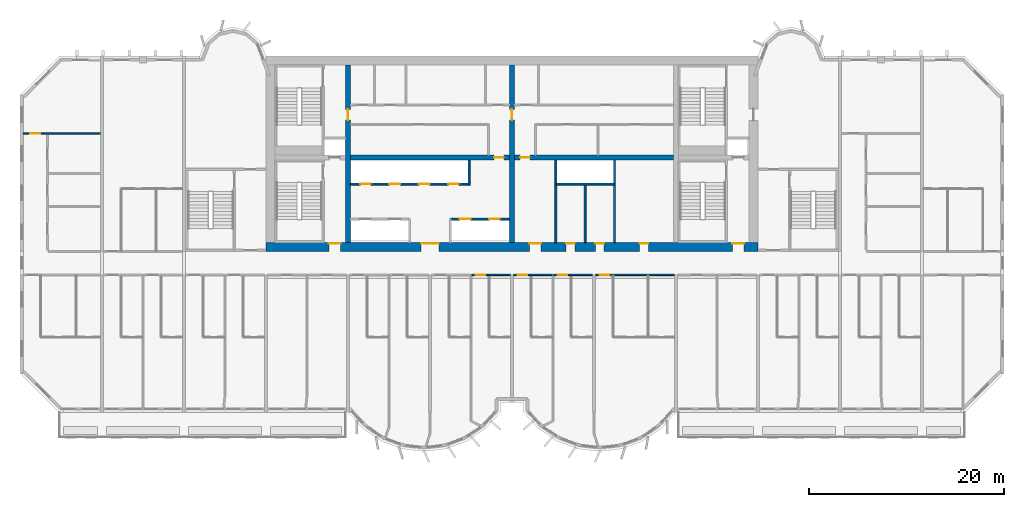
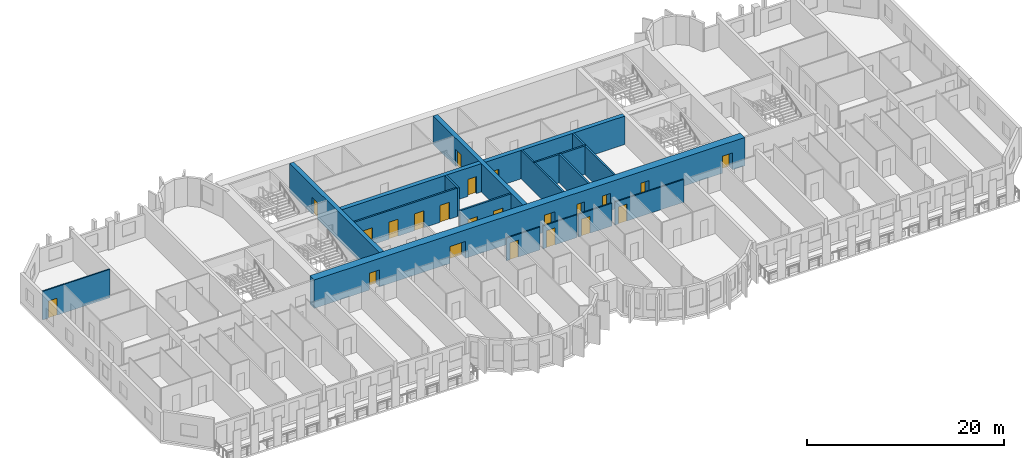
# One storey, part 6 of 14: 22 doors, 17 walls, 22 openings.
"""IFC4 building model written with IfcOpenShell, lengths in metres."""

from ifc_helpers import new_model, si_unit, direction, frame, frame_2d, origin, place, context, subcontext, project, spatial, rectangle, extrude, source, transform, mapped, material, layer, layer_set, type_object, element, fill, save


model = new_model("IFC4")

# Units and contexts
model_context = context("Model", 3, precision=1e-05, world=origin(), true_north=direction((0.0, 1.0)))
body_context = subcontext(model_context, "Body", "Model", "MODEL_VIEW")
ifc_project = project(units=[si_unit("LENGTHUNIT", "METRE"), si_unit("AREAUNIT", "SQUARE_METRE"), si_unit("VOLUMEUNIT", "CUBIC_METRE"), si_unit("PLANEANGLEUNIT", "RADIAN"), si_unit("MASSUNIT", "GRAM", prefix="KILO")], contexts=[model_context])

# Site, building, storey
site_placement = place(None, origin())
site = spatial("IfcSite", under=ifc_project, at=site_placement, CompositionType="ELEMENT")
building_placement = place(site_placement, origin())
building = spatial("IfcBuilding", under=site, at=building_placement, Name="Vanashikhar Sky Hotel", CompositionType="ELEMENT")
storey_placement = place(building_placement, frame((0.0, 0.0, 125.60009765625)))
storey = spatial("IfcBuildingStorey", under=building, at=storey_placement, Name="L30", CompositionType="ELEMENT", Elevation=125.60009765625)

# Wall, openings, doors
ifc_material_1 = material(Name="Concrete M70", Category="concrete")
ifc_layer_1 = layer(ifc_material_1, 0.89990234375)
ifc_layer_set_1 = layer_set([ifc_layer_1], Name="RC core shell wall 900 Concrete M70")
wall_type_1 = type_object("IfcWallType", Name="RC core shell wall 900 Concrete M70", PredefinedType="SHEAR", material=ifc_layer_set_1)
shared_shape_1 = source(origin(), body_context, "Body", "SweptSolid", [
    extrude(rectangle(XDim=50.400146484375, YDim=0.89990234375, at=frame_2d((25.2001953125, 0.0))), origin(), (0.0, 0.0, 1.0), 3.52001953125),
])
wall_1_placement = place(storey_placement, frame((25.199951171875, 22.449951171875, 0.0), z_axis=(0.0, 0.0, 1.0), x_axis=(1.0, 0.0, 0.0)))
wall_1 = element("IfcWall", 1, at=wall_1_placement, inside=storey, type_object=wall_type_1, Name="KW-L30-KS", PredefinedType="SHEAR", context=body_context, shape_type="MappedRepresentation", body=[
    mapped(shared_shape_1, transform((0.0, 0.0, 0.0), scale=1.0)),
])
shared_shape_2 = source(origin(), body_context, "Body", "SweptSolid", [
    extrude(rectangle(XDim=1.800048828125, YDim=2.10009765625, at=frame_2d((0.89990234375, 1.050048828125))), frame((0.0, 0.4599609375, 0.0), z_axis=(0.0, -1.0, 0.0), x_axis=(1.0, 0.0, 0.0)), (0.0, 0.0, 1.0), 0.919921875),
])
opening_1_placement = place(wall_1_placement, frame((15.89990234375, 0.0, 0.0)))
opening_1 = element("IfcOpeningElement", 2, at=opening_1_placement, cuts=wall_1, Name="Opening DC-3-A", PredefinedType="OPENING", context=body_context, shape_type="MappedRepresentation", body=[
    mapped(shared_shape_2, transform((0.0, 0.0, 0.0), scale=1.0)),
])
shared_shape_3 = source(origin(), body_context, "Body", "SweptSolid", [
    extrude(rectangle(XDim=1.199951171875, YDim=2.10009765625, at=frame_2d((0.60009765625, 1.050048828125))), frame((0.0, 0.4599609375, 0.0), z_axis=(0.0, -1.0, 0.0), x_axis=(1.0, 0.0, 0.0)), (0.0, 0.0, 1.0), 0.919921875),
])
opening_2_placement = place(wall_1_placement, frame((26.97509765625, 0.0, 0.0)))
opening_2 = element("IfcOpeningElement", 3, at=opening_2_placement, cuts=wall_1, Name="Opening DC-4-B", PredefinedType="OPENING", context=body_context, shape_type="MappedRepresentation", body=[
    mapped(shared_shape_3, transform((0.0, 0.0, 0.0), scale=1.0)),
])
shared_shape_4 = source(origin(), body_context, "Body", "SweptSolid", [
    extrude(rectangle(XDim=0.89990234375, YDim=2.10009765625, at=frame_2d((0.449951171875, 1.050048828125))), frame((0.0, 0.4599609375, 0.0), z_axis=(0.0, -1.0, 0.0), x_axis=(1.0, 0.0, 0.0)), (0.0, 0.0, 1.0), 0.919921875),
])
opening_3_placement = place(wall_1_placement, frame((33.75, 0.0, 0.0)))
opening_3 = element("IfcOpeningElement", 4, at=opening_3_placement, cuts=wall_1, Name="Opening DC-4-A", PredefinedType="OPENING", context=body_context, shape_type="MappedRepresentation", body=[
    mapped(shared_shape_4, transform((0.0, 0.0, 0.0), scale=1.0)),
])
opening_4_placement = place(wall_1_placement, frame((30.75, 0.0, 0.0)))
opening_4 = element("IfcOpeningElement", 5, at=opening_4_placement, cuts=wall_1, Name="Opening DC-4-A", PredefinedType="OPENING", context=body_context, shape_type="MappedRepresentation", body=[
    mapped(shared_shape_4, transform((0.0, 0.0, 0.0), scale=1.0)),
])
opening_5_placement = place(wall_1_placement, frame((38.27490234375, 0.0, 0.0)))
opening_5 = element("IfcOpeningElement", 6, at=opening_5_placement, cuts=wall_1, Name="Opening DC-4-A", PredefinedType="OPENING", context=body_context, shape_type="MappedRepresentation", body=[
    mapped(shared_shape_4, transform((0.0, 0.0, 0.0), scale=1.0)),
])
opening_6_placement = place(wall_1_placement, frame((6.449951171875, 0.0, 0.0)))
opening_6 = element("IfcOpeningElement", 7, at=opening_6_placement, cuts=wall_1, Name="Opening DC-2", PredefinedType="OPENING", context=body_context, shape_type="MappedRepresentation", body=[
    mapped(shared_shape_3, transform((0.0, 0.0, 0.0), scale=1.0)),
])
opening_7_placement = place(wall_1_placement, frame((47.77490234375, 0.0, 0.0)))
opening_7 = element("IfcOpeningElement", 8, at=opening_7_placement, cuts=wall_1, Name="Opening DC-2", PredefinedType="OPENING", context=body_context, shape_type="MappedRepresentation", body=[
    mapped(shared_shape_3, transform((0.0, 0.0, 0.0), scale=1.0)),
])
ifc_material_2 = material(Name="Glass", Category="glass")
door_type_1 = type_object("IfcDoorType", Name="Lift lobby entrance door 1800 FD30S", OperationType="NOTDEFINED", PredefinedType="DOOR", material=ifc_material_2)
shared_shape_5 = source(origin(), body_context, "Body", "SweptSolid", [
    extrude(rectangle(XDim=1.800048828125, YDim=2.10009765625, at=frame_2d((0.89990234375, 1.050048828125))), frame((0.0, 0.375, 0.0), z_axis=(0.0, -1.0, 0.0), x_axis=(1.0, 0.0, 0.0)), (0.0, 0.0, 1.0), 0.050048828125),
])
door_1_placement = place(opening_1_placement, origin())
door_1 = element("IfcDoor", 9, at=door_1_placement, inside=storey, type_object=door_type_1, Name="Lift lobby entrance door 1800 FD30S", OperationType="DOUBLE_DOOR_SINGLE_SWING", OverallHeight=2.10009765625, OverallWidth=1.800048828125, PredefinedType="DOOR", context=body_context, shape_type="MappedRepresentation", body=[
    mapped(shared_shape_5, transform((0.0, 0.0, 0.0), scale=1.0)),
])
fill(opening_1, door_1)
ifc_material_3 = material(Name="Steel", Category="steel")
door_type_2 = type_object("IfcDoorType", Name="Service door 1200 FD60", OperationType="NOTDEFINED", PredefinedType="DOOR", material=ifc_material_3)
shared_shape_6 = source(origin(), body_context, "Body", "SweptSolid", [
    extrude(rectangle(XDim=1.199951171875, YDim=2.10009765625, at=frame_2d((0.60009765625, 1.050048828125))), frame((0.0, 0.375, 0.0), z_axis=(0.0, -1.0, 0.0), x_axis=(1.0, 0.0, 0.0)), (0.0, 0.0, 1.0), 0.050048828125),
])
door_2_placement = place(opening_2_placement, origin())
door_2 = element("IfcDoor", 10, at=door_2_placement, inside=storey, type_object=door_type_2, Name="Service door 1200 FD60", OperationType="SINGLE_SWING_RIGHT", OverallHeight=2.10009765625, OverallWidth=1.199951171875, PredefinedType="DOOR", context=body_context, shape_type="MappedRepresentation", body=[
    mapped(shared_shape_6, transform((0.0, 0.0, 0.0), scale=1.0)),
])
fill(opening_2, door_2)
door_type_3 = type_object("IfcDoorType", Name="Firefighting lobby door 1200 FD120", OperationType="NOTDEFINED", PredefinedType="DOOR", material=ifc_material_3)
door_3_placement = place(opening_6_placement, origin())
door_3 = element("IfcDoor", 11, at=door_3_placement, inside=storey, type_object=door_type_3, Name="Firefighting lobby door 1200 FD120", OperationType="SINGLE_SWING_RIGHT", OverallHeight=2.10009765625, OverallWidth=1.199951171875, PredefinedType="DOOR", context=body_context, shape_type="MappedRepresentation", body=[
    mapped(shared_shape_6, transform((0.0, 0.0, 0.0), scale=1.0)),
])
fill(opening_6, door_3)
door_4_placement = place(opening_7_placement, origin())
door_4 = element("IfcDoor", 12, at=door_4_placement, inside=storey, type_object=door_type_3, Name="Firefighting lobby door 1200 FD120", OperationType="SINGLE_SWING_RIGHT", OverallHeight=2.10009765625, OverallWidth=1.199951171875, PredefinedType="DOOR", context=body_context, shape_type="MappedRepresentation", body=[
    mapped(shared_shape_6, transform((0.0, 0.0, 0.0), scale=1.0)),
])
fill(opening_7, door_4)
door_type_4 = type_object("IfcDoorType", Name="Service door 900 FD60", OperationType="NOTDEFINED", PredefinedType="DOOR", material=ifc_material_3)
shared_shape_7 = source(origin(), body_context, "Body", "SweptSolid", [
    extrude(rectangle(XDim=0.89990234375, YDim=2.10009765625, at=frame_2d((0.449951171875, 1.050048828125))), frame((0.0, 0.375, 0.0), z_axis=(0.0, -1.0, 0.0), x_axis=(1.0, 0.0, 0.0)), (0.0, 0.0, 1.0), 0.050048828125),
])
door_5_placement = place(opening_3_placement, origin())
door_5 = element("IfcDoor", 13, at=door_5_placement, inside=storey, type_object=door_type_4, Name="Service door 900 FD60", OperationType="SINGLE_SWING_RIGHT", OverallHeight=2.10009765625, OverallWidth=0.89990234375, PredefinedType="DOOR", context=body_context, shape_type="MappedRepresentation", body=[
    mapped(shared_shape_7, transform((0.0, 0.0, 0.0), scale=1.0)),
])
fill(opening_3, door_5)
door_6_placement = place(opening_4_placement, origin())
door_6 = element("IfcDoor", 14, at=door_6_placement, inside=storey, type_object=door_type_4, Name="Service door 900 FD60", OperationType="SINGLE_SWING_LEFT", OverallHeight=2.10009765625, OverallWidth=0.89990234375, PredefinedType="DOOR", context=body_context, shape_type="MappedRepresentation", body=[
    mapped(shared_shape_7, transform((0.0, 0.0, 0.0), scale=1.0)),
])
fill(opening_4, door_6)
door_7_placement = place(opening_5_placement, origin())
door_7 = element("IfcDoor", 15, at=door_7_placement, inside=storey, type_object=door_type_4, Name="Service door 900 FD60", OperationType="SINGLE_SWING_LEFT", OverallHeight=2.10009765625, OverallWidth=0.89990234375, PredefinedType="DOOR", context=body_context, shape_type="MappedRepresentation", body=[
    mapped(shared_shape_7, transform((0.0, 0.0, 0.0), scale=1.0)),
])
fill(opening_5, door_7)

# Wall, opening, door
ifc_layer_2 = layer(ifc_material_1, 0.5)
ifc_layer_set_2 = layer_set([ifc_layer_2], Name="RC core inner wall 500 Concrete M70")
wall_type_2 = type_object("IfcWallType", Name="RC core inner wall 500 Concrete M70", PredefinedType="SHEAR", material=ifc_layer_set_2)
shared_shape_8 = source(origin(), body_context, "Body", "SweptSolid", [
    extrude(rectangle(XDim=18.2001953125, YDim=0.5, at=frame_2d((9.10009765625, 0.0))), origin(), (0.0, 0.0, 1.0), 3.52001953125),
])
wall_2_placement = place(storey_placement, frame((33.60009765625, 22.89990234375, 0.0), z_axis=(0.0, 0.0, 1.0), x_axis=(0.0, 1.0, 0.0)))
wall_2 = element("IfcWall", 16, at=wall_2_placement, inside=storey, type_object=wall_type_2, Name="KW-L30-KX1", PredefinedType="SHEAR", context=body_context, shape_type="MappedRepresentation", body=[
    mapped(shared_shape_8, transform((0.0, 0.0, 0.0), scale=1.0)),
])
shared_shape_9 = source(origin(), body_context, "Body", "SweptSolid", [
    extrude(rectangle(XDim=1.10009765625, YDim=2.10009765625, at=frame_2d((0.550048828125, 1.050048828125))), frame((0.0, 0.260009765625, 0.0), z_axis=(0.0, -1.0, 0.0), x_axis=(1.0, 0.0, 0.0)), (0.0, 0.0, 1.0), 0.52001953125),
])
opening_8_placement = place(wall_2_placement, frame((12.550048828125, 0.0, 0.0)))
opening_8 = element("IfcOpeningElement", 17, at=opening_8_placement, cuts=wall_2, Name="Opening DC-4-C", PredefinedType="OPENING", context=body_context, shape_type="MappedRepresentation", body=[
    mapped(shared_shape_9, transform((0.0, 0.0, 0.0), scale=1.0)),
])
door_type_5 = type_object("IfcDoorType", Name="Service door 1100 FD60", OperationType="NOTDEFINED", PredefinedType="DOOR", material=ifc_material_3)
shared_shape_10 = source(origin(), body_context, "Body", "SweptSolid", [
    extrude(rectangle(XDim=1.10009765625, YDim=2.10009765625, at=frame_2d((0.550048828125, 1.050048828125))), frame((0.0, 0.02490234375, 0.0), z_axis=(0.0, -1.0, 0.0), x_axis=(1.0, 0.0, 0.0)), (0.0, 0.0, 1.0), 0.050048828125),
])
door_8_placement = place(opening_8_placement, origin())
door_8 = element("IfcDoor", 18, at=door_8_placement, inside=storey, type_object=door_type_5, Name="Service door 1100 FD60", OperationType="SINGLE_SWING_RIGHT", OverallHeight=2.10009765625, OverallWidth=1.10009765625, PredefinedType="DOOR", context=body_context, shape_type="MappedRepresentation", body=[
    mapped(shared_shape_10, transform((0.0, 0.0, 0.0), scale=1.0)),
])
fill(opening_8, door_8)

wall_3_placement = place(storey_placement, frame((50.39990234375, 22.89990234375, 0.0), z_axis=(0.0, 0.0, 1.0), x_axis=(0.0, 1.0, 0.0)))
wall_3 = element("IfcWall", 19, at=wall_3_placement, inside=storey, type_object=wall_type_2, Name="KW-L30-KX2", PredefinedType="SHEAR", context=body_context, shape_type="MappedRepresentation", body=[
    mapped(shared_shape_8, transform((0.0, 0.0, 0.0), scale=1.0)),
])
opening_9_placement = place(wall_3_placement, frame((12.550048828125, 0.0, 0.0)))
opening_9 = element("IfcOpeningElement", 20, at=opening_9_placement, cuts=wall_3, Name="Opening DC-4-C", PredefinedType="OPENING", context=body_context, shape_type="MappedRepresentation", body=[
    mapped(shared_shape_9, transform((0.0, 0.0, 0.0), scale=1.0)),
])
door_9_placement = place(opening_9_placement, origin())
door_9 = element("IfcDoor", 21, at=door_9_placement, inside=storey, type_object=door_type_5, Name="Service door 1100 FD60", OperationType="SINGLE_SWING_LEFT", OverallHeight=2.10009765625, OverallWidth=1.10009765625, PredefinedType="DOOR", context=body_context, shape_type="MappedRepresentation", body=[
    mapped(shared_shape_10, transform((0.0, 0.0, 0.0), scale=1.0)),
])
fill(opening_9, door_9)

shared_shape_11 = source(origin(), body_context, "Body", "SweptSolid", [
    extrude(rectangle(XDim=16.2998046875, YDim=0.5, at=frame_2d((8.14990234375, 0.0))), origin(), (0.0, 0.0, 1.0), 3.52001953125),
])
wall_4_placement = place(storey_placement, frame((33.85009765625, 31.60009765625, 0.0), z_axis=(0.0, 0.0, 1.0), x_axis=(1.0, 0.0, 0.0)))
wall_4 = element("IfcWall", 22, at=wall_4_placement, inside=storey, type_object=wall_type_2, Name="KW-L30-KY2", PredefinedType="SHEAR", context=body_context, shape_type="MappedRepresentation", body=[
    mapped(shared_shape_11, transform((0.0, 0.0, 0.0), scale=1.0)),
])
shared_shape_12 = source(origin(), body_context, "Body", "SweptSolid", [
    extrude(rectangle(XDim=1.0, YDim=2.10009765625, at=frame_2d((0.5, 1.050048828125))), frame((0.0, 0.260009765625, 0.0), z_axis=(0.0, -1.0, 0.0), x_axis=(1.0, 0.0, 0.0)), (0.0, 0.0, 1.0), 0.52001953125),
])
opening_10_placement = place(wall_4_placement, frame((14.72509765625, 0.0, 0.0)))
opening_10 = element("IfcOpeningElement", 23, at=opening_10_placement, cuts=wall_4, Name="Opening DC-4", PredefinedType="OPENING", context=body_context, shape_type="MappedRepresentation", body=[
    mapped(shared_shape_12, transform((0.0, 0.0, 0.0), scale=1.0)),
])
door_type_6 = type_object("IfcDoorType", Name="Service door 1000 FD60", OperationType="NOTDEFINED", PredefinedType="DOOR", material=ifc_material_3)
shared_shape_13 = source(origin(), body_context, "Body", "SweptSolid", [
    extrude(rectangle(XDim=1.0, YDim=2.10009765625, at=frame_2d((0.5, 1.050048828125))), frame((0.0, 0.02490234375, 0.0), z_axis=(0.0, -1.0, 0.0), x_axis=(1.0, 0.0, 0.0)), (0.0, 0.0, 1.0), 0.050048828125),
])
door_10_placement = place(opening_10_placement, origin())
door_10 = element("IfcDoor", 24, at=door_10_placement, inside=storey, type_object=door_type_6, Name="Service door 1000 FD60", OperationType="SINGLE_SWING_LEFT", OverallHeight=2.10009765625, OverallWidth=1.0, PredefinedType="DOOR", context=body_context, shape_type="MappedRepresentation", body=[
    mapped(shared_shape_13, transform((0.0, 0.0, 0.0), scale=1.0)),
])
fill(opening_10, door_10)

shared_shape_14 = source(origin(), body_context, "Body", "SweptSolid", [
    extrude(rectangle(XDim=16.300048828125, YDim=0.5, at=frame_2d((8.14990234375, 0.0))), origin(), (0.0, 0.0, 1.0), 3.52001953125),
])
wall_5_placement = place(storey_placement, frame((50.64990234375, 31.60009765625, 0.0), z_axis=(0.0, 0.0, 1.0), x_axis=(1.0, 0.0, 0.0)))
wall_5 = element("IfcWall", 25, at=wall_5_placement, inside=storey, type_object=wall_type_2, Name="KW-L30-KY3", PredefinedType="SHEAR", context=body_context, shape_type="MappedRepresentation", body=[
    mapped(shared_shape_14, transform((0.0, 0.0, 0.0), scale=1.0)),
])
opening_11_placement = place(wall_5_placement, frame((0.574951171875, 0.0, 0.0)))
opening_11 = element("IfcOpeningElement", 26, at=opening_11_placement, cuts=wall_5, Name="Opening DC-4", PredefinedType="OPENING", context=body_context, shape_type="MappedRepresentation", body=[
    mapped(shared_shape_12, transform((0.0, 0.0, 0.0), scale=1.0)),
])
door_11_placement = place(opening_11_placement, origin())
door_11 = element("IfcDoor", 27, at=door_11_placement, inside=storey, type_object=door_type_6, Name="Service door 1000 FD60", OperationType="SINGLE_SWING_RIGHT", OverallHeight=2.10009765625, OverallWidth=1.0, PredefinedType="DOOR", context=body_context, shape_type="MappedRepresentation", body=[
    mapped(shared_shape_13, transform((0.0, 0.0, 0.0), scale=1.0)),
])
fill(opening_11, door_11)

# Wall, openings, doors
ifc_material_4 = material(Name="Concrete M40", Category="concrete")
ifc_layer_3 = layer(ifc_material_4, 0.199951171875)
ifc_layer_set_3 = layer_set([ifc_layer_3], Name="Shaft wall 200")
wall_type_3 = type_object("IfcWallType", Name="Shaft wall 200", PredefinedType="SOLIDWALL", material=ifc_layer_set_3)
shared_shape_15 = source(origin(), body_context, "Body", "SweptSolid", [
    extrude(rectangle(XDim=6.0, YDim=0.199951171875, at=frame_2d((3.0, 0.0))), origin(), (0.0, 0.0, 1.0), 3.52001953125),
])
wall_6_placement = place(storey_placement, frame((44.10009765625, 25.300048828125, 0.0), z_axis=(0.0, 0.0, 1.0), x_axis=(1.0, 0.0, 0.0)))
wall_6 = element("IfcWall", 28, at=wall_6_placement, inside=storey, type_object=wall_type_3, Name="Shaft wall 200", PredefinedType="SOLIDWALL", context=body_context, shape_type="MappedRepresentation", body=[
    mapped(shared_shape_15, transform((0.0, 0.0, 0.0), scale=1.0)),
])
shared_shape_16 = source(origin(), body_context, "Body", "SweptSolid", [
    extrude(rectangle(XDim=1.10009765625, YDim=2.10009765625, at=frame_2d((0.550048828125, 1.050048828125))), frame((0.0, 0.10986328125, 0.0), z_axis=(0.0, -1.0, 0.0), x_axis=(1.0, 0.0, 0.0)), (0.0, 0.0, 1.0), 0.219970703125),
])
opening_12_placement = place(wall_6_placement, frame((0.949951171875, 0.0, 0.0)))
opening_12 = element("IfcOpeningElement", 29, at=opening_12_placement, cuts=wall_6, Name="Opening LD", PredefinedType="OPENING", context=body_context, shape_type="MappedRepresentation", body=[
    mapped(shared_shape_16, transform((0.0, 0.0, 0.0), scale=1.0)),
])
opening_13_placement = place(wall_6_placement, frame((3.949951171875, 0.0, 0.0)))
opening_13 = element("IfcOpeningElement", 30, at=opening_13_placement, cuts=wall_6, Name="Opening LD", PredefinedType="OPENING", context=body_context, shape_type="MappedRepresentation", body=[
    mapped(shared_shape_16, transform((0.0, 0.0, 0.0), scale=1.0)),
])
ifc_material_5 = material(Name="Stainless steel", Category="steel")
door_type_7 = type_object("IfcDoorType", Name="Lift landing door 1100", OperationType="NOTDEFINED", PredefinedType="DOOR", material=ifc_material_5)
door_12_placement = place(opening_12_placement, origin())
door_12 = element("IfcDoor", 31, at=door_12_placement, inside=storey, type_object=door_type_7, Name="Lift landing door 1100", OperationType="SLIDING_TO_LEFT", OverallHeight=2.10009765625, OverallWidth=1.10009765625, PredefinedType="DOOR", context=body_context, shape_type="MappedRepresentation", body=[
    mapped(shared_shape_10, transform((0.0, 0.0, 0.0), scale=1.0)),
])
fill(opening_12, door_12)
door_13_placement = place(opening_13_placement, origin())
door_13 = element("IfcDoor", 32, at=door_13_placement, inside=storey, type_object=door_type_7, Name="Lift landing door 1100", OperationType="SLIDING_TO_RIGHT", OverallHeight=2.10009765625, OverallWidth=1.10009765625, PredefinedType="DOOR", context=body_context, shape_type="MappedRepresentation", body=[
    mapped(shared_shape_10, transform((0.0, 0.0, 0.0), scale=1.0)),
])
fill(opening_13, door_13)

# Walls
wall_7_placement = place(storey_placement, frame((60.89990234375, 28.89990234375, 0.0), z_axis=(0.0, 0.0, 1.0), x_axis=(-1.0, 0.0, 0.0)))
element("IfcWall", 33, at=wall_7_placement, inside=storey, type_object=wall_type_3, Name="Shaft wall 200", PredefinedType="SOLIDWALL", context=body_context, shape_type="MappedRepresentation", body=[
    mapped(shared_shape_15, transform((0.0, 0.0, 0.0), scale=1.0)),
])
ifc_material_6 = material(Name="Gypsum board partition")
ifc_layer_4 = layer(ifc_material_6, 0.14990234375)
ifc_layer_set_4 = layer_set([ifc_layer_4], Name="Service partition 150")
wall_type_4 = type_object("IfcWallType", Name="Service partition 150", PredefinedType="PARTITIONING", material=ifc_layer_set_4)
wall_8_placement = place(storey_placement, frame((57.89990234375, 22.89990234375, 0.0), z_axis=(0.0, 0.0, 1.0), x_axis=(0.0, 1.0, 0.0)))
element("IfcWall", 34, at=wall_8_placement, inside=storey, type_object=wall_type_4, Name="Service partition 150", PredefinedType="PARTITIONING", context=body_context, shape_type="MappedRepresentation", body=[
    mapped(shared_shape_15, transform((0.0, 0.0, 0.0), scale=1.0)),
])

# Wall, openings, doors
shared_shape_17 = source(origin(), body_context, "Body", "SweptSolid", [
    extrude(rectangle(XDim=12.0498046875, YDim=0.199951171875, at=frame_2d((6.02490234375, 0.0))), origin(), (0.0, 0.0, 1.0), 3.52001953125),
])
wall_9_placement = place(storey_placement, frame((33.85009765625, 28.89990234375, 0.0), z_axis=(0.0, 0.0, 1.0), x_axis=(1.0, 0.0, 0.0)))
wall_9 = element("IfcWall", 35, at=wall_9_placement, inside=storey, type_object=wall_type_3, Name="Shaft wall 200", PredefinedType="SOLIDWALL", context=body_context, shape_type="MappedRepresentation", body=[
    mapped(shared_shape_17, transform((0.0, 0.0, 0.0), scale=1.0)),
])
opening_14_placement = place(wall_9_placement, frame((1.0, 0.0, 0.0)))
opening_14 = element("IfcOpeningElement", 36, at=opening_14_placement, cuts=wall_9, Name="Opening LD", PredefinedType="OPENING", context=body_context, shape_type="MappedRepresentation", body=[
    mapped(shared_shape_16, transform((0.0, 0.0, 0.0), scale=1.0)),
])
opening_15_placement = place(wall_9_placement, frame((4.0, 0.0, 0.0)))
opening_15 = element("IfcOpeningElement", 37, at=opening_15_placement, cuts=wall_9, Name="Opening LD", PredefinedType="OPENING", context=body_context, shape_type="MappedRepresentation", body=[
    mapped(shared_shape_16, transform((0.0, 0.0, 0.0), scale=1.0)),
])
opening_16_placement = place(wall_9_placement, frame((7.0, 0.0, 0.0)))
opening_16 = element("IfcOpeningElement", 38, at=opening_16_placement, cuts=wall_9, Name="Opening LD", PredefinedType="OPENING", context=body_context, shape_type="MappedRepresentation", body=[
    mapped(shared_shape_16, transform((0.0, 0.0, 0.0), scale=1.0)),
])
opening_17_placement = place(wall_9_placement, frame((10.0, 0.0, 0.0)))
opening_17 = element("IfcOpeningElement", 39, at=opening_17_placement, cuts=wall_9, Name="Opening LD", PredefinedType="OPENING", context=body_context, shape_type="MappedRepresentation", body=[
    mapped(shared_shape_16, transform((0.0, 0.0, 0.0), scale=1.0)),
])
door_14_placement = place(opening_14_placement, origin())
door_14 = element("IfcDoor", 40, at=door_14_placement, inside=storey, type_object=door_type_7, Name="Lift landing door 1100", OperationType="SLIDING_TO_LEFT", OverallHeight=2.10009765625, OverallWidth=1.10009765625, PredefinedType="DOOR", context=body_context, shape_type="MappedRepresentation", body=[
    mapped(shared_shape_10, transform((0.0, 0.0, 0.0), scale=1.0)),
])
fill(opening_14, door_14)
door_15_placement = place(opening_15_placement, origin())
door_15 = element("IfcDoor", 41, at=door_15_placement, inside=storey, type_object=door_type_7, Name="Lift landing door 1100", OperationType="SLIDING_TO_RIGHT", OverallHeight=2.10009765625, OverallWidth=1.10009765625, PredefinedType="DOOR", context=body_context, shape_type="MappedRepresentation", body=[
    mapped(shared_shape_10, transform((0.0, 0.0, 0.0), scale=1.0)),
])
fill(opening_15, door_15)
door_16_placement = place(opening_16_placement, origin())
door_16 = element("IfcDoor", 42, at=door_16_placement, inside=storey, type_object=door_type_7, Name="Lift landing door 1100", OperationType="SLIDING_TO_LEFT", OverallHeight=2.10009765625, OverallWidth=1.10009765625, PredefinedType="DOOR", context=body_context, shape_type="MappedRepresentation", body=[
    mapped(shared_shape_10, transform((0.0, 0.0, 0.0), scale=1.0)),
])
fill(opening_16, door_16)
door_17_placement = place(opening_17_placement, origin())
door_17 = element("IfcDoor", 43, at=door_17_placement, inside=storey, type_object=door_type_7, Name="Lift landing door 1100", OperationType="SLIDING_TO_RIGHT", OverallHeight=2.10009765625, OverallWidth=1.10009765625, PredefinedType="DOOR", context=body_context, shape_type="MappedRepresentation", body=[
    mapped(shared_shape_10, transform((0.0, 0.0, 0.0), scale=1.0)),
])
fill(opening_17, door_17)

# Walls
shared_shape_18 = source(origin(), body_context, "Body", "SweptSolid", [
    extrude(rectangle(XDim=2.550048828125, YDim=0.199951171875, at=frame_2d((1.27490234375, 0.0))), origin(), (0.0, 0.0, 1.0), 3.52001953125),
])
wall_10_placement = place(storey_placement, frame((46.0, 28.800048828125, 0.0), z_axis=(0.0, 0.0, 1.0), x_axis=(0.0, 1.0, 0.0)))
element("IfcWall", 44, at=wall_10_placement, inside=storey, type_object=wall_type_3, Name="Shaft wall 200", PredefinedType="SOLIDWALL", context=body_context, shape_type="MappedRepresentation", body=[
    mapped(shared_shape_18, transform((0.0, 0.0, 0.0), scale=1.0)),
])
shared_shape_19 = source(origin(), body_context, "Body", "SweptSolid", [
    extrude(rectangle(XDim=8.4501953125, YDim=0.199951171875, at=frame_2d((4.22509765625, 0.0))), origin(), (0.0, 0.0, 1.0), 3.52001953125),
])
for number, where, z_axis, x_axis, name in (
    (45, (54.89990234375, 22.89990234375, 0.0), (0.0, 0.0, 1.0), (0.0, 1.0, 0.0), "Service partition 150"),
    (46, (60.89990234375, 22.89990234375, 0.0), (0.0, 0.0, 1.0), (0.0, 1.0, 0.0), "Service partition 150"),
):
    element("IfcWall", number, at=place(storey_placement, frame(where, z_axis=z_axis, x_axis=x_axis)), inside=storey, type_object=wall_type_4, Name=name, PredefinedType="PARTITIONING", context=body_context, shape_type="MappedRepresentation", body=[
        mapped(shared_shape_19, transform((0.0, 0.0, 0.0), scale=1.0)),
    ])

# Wall, opening, door
ifc_material_7 = material(Name="Gypsum plasterboard partition")
ifc_layer_5 = layer(ifc_material_7, 0.14990234375)
ifc_layer_set_5 = layer_set([ifc_layer_5], Name="Corridor and demising partition 150")
wall_type_5 = type_object("IfcWallType", Name="Corridor and demising partition 150", PredefinedType="PARTITIONING", material=ifc_layer_set_5)
shared_shape_20 = source(origin(), body_context, "Body", "SweptSolid", [
    extrude(rectangle(XDim=7.875, YDim=0.14990234375, at=frame_2d((3.9375, 0.0))), origin(), (0.0, 0.0, 1.0), 3.52001953125),
])
wall_11_placement = place(storey_placement, frame((0.35009765625, 34.074951171875, 0.0), z_axis=(0.0, 0.0, 1.0), x_axis=(1.0, 0.0, 0.0)))
wall_11 = element("IfcWall", 47, at=wall_11_placement, inside=storey, type_object=wall_type_5, Name="W-L30-PW077", PredefinedType="PARTITIONING", context=body_context, shape_type="MappedRepresentation", body=[
    mapped(shared_shape_20, transform((0.0, 0.0, 0.0), scale=1.0)),
])
shared_shape_21 = source(origin(), body_context, "Body", "SweptSolid", [
    extrude(rectangle(XDim=1.0, YDim=2.10009765625, at=frame_2d((0.5, 1.050048828125))), frame((0.0, 0.0849609375, 0.0), z_axis=(0.0, -1.0, 0.0), x_axis=(1.0, 0.0, 0.0)), (0.0, 0.0, 1.0), 0.169921875),
])
opening_18_placement = place(wall_11_placement, frame((0.699951171875, 0.0, 0.0)))
opening_18 = element("IfcOpeningElement", 48, at=opening_18_placement, cuts=wall_11, Name="Opening D-01", PredefinedType="OPENING", context=body_context, shape_type="MappedRepresentation", body=[
    mapped(shared_shape_21, transform((0.0, 0.0, 0.0), scale=1.0)),
])
ifc_material_8 = material(Name="Timber fire door", Category="wood")
door_type_8 = type_object("IfcDoorType", Name="Guest entry door 1000 FD30S", OperationType="NOTDEFINED", PredefinedType="DOOR", material=ifc_material_8)
door_18_placement = place(opening_18_placement, origin())
door_18 = element("IfcDoor", 49, at=door_18_placement, inside=storey, type_object=door_type_8, Name="D-L30-044", OperationType="SINGLE_SWING_LEFT", OverallHeight=2.10009765625, OverallWidth=1.0, PredefinedType="DOOR", context=body_context, shape_type="MappedRepresentation", body=[
    mapped(shared_shape_13, transform((0.0, 0.0, 0.0), scale=1.0)),
])
fill(opening_18, door_18)

shared_shape_22 = source(origin(), body_context, "Body", "SweptSolid", [
    extrude(rectangle(XDim=3.9501953125, YDim=0.14990234375, at=frame_2d((1.97509765625, 0.0))), origin(), (0.0, 0.0, 1.0), 2.81982421875),
])
wall_12_placement = place(storey_placement, frame((46.27490234375, 19.60009765625, 0.0), z_axis=(0.0, 0.0, 1.0), x_axis=(1.0, 0.0, 0.0)))
wall_12 = element("IfcWall", 50, at=wall_12_placement, inside=storey, type_object=wall_type_5, Name="W-L30-PW035", PredefinedType="PARTITIONING", context=body_context, shape_type="MappedRepresentation", body=[
    mapped(shared_shape_22, transform((0.0, 0.0, 0.0), scale=1.0)),
])
opening_19_placement = place(wall_12_placement, frame((0.39990234375, 0.0, 0.0)))
opening_19 = element("IfcOpeningElement", 51, at=opening_19_placement, cuts=wall_12, Name="Opening D-01", PredefinedType="OPENING", context=body_context, shape_type="MappedRepresentation", body=[
    mapped(shared_shape_21, transform((0.0, 0.0, 0.0), scale=1.0)),
])
door_19_placement = place(opening_19_placement, origin())
door_19 = element("IfcDoor", 52, at=door_19_placement, inside=storey, type_object=door_type_8, Name="D-L30-021", OperationType="SINGLE_SWING_LEFT", OverallHeight=2.10009765625, OverallWidth=1.0, PredefinedType="DOOR", context=body_context, shape_type="MappedRepresentation", body=[
    mapped(shared_shape_13, transform((0.0, 0.0, 0.0), scale=1.0)),
])
fill(opening_19, door_19)

shared_shape_23 = source(origin(), body_context, "Body", "SweptSolid", [
    extrude(rectangle(XDim=3.949951171875, YDim=0.14990234375, at=frame_2d((1.97509765625, 0.0))), origin(), (0.0, 0.0, 1.0), 2.81982421875),
])
wall_13_placement = place(storey_placement, frame((50.574951171875, 19.60009765625, 0.0), z_axis=(0.0, 0.0, 1.0), x_axis=(1.0, 0.0, 0.0)))
wall_13 = element("IfcWall", 53, at=wall_13_placement, inside=storey, type_object=wall_type_5, Name="W-L30-PW039", PredefinedType="PARTITIONING", context=body_context, shape_type="MappedRepresentation", body=[
    mapped(shared_shape_23, transform((0.0, 0.0, 0.0), scale=1.0)),
])
opening_20_placement = place(wall_13_placement, frame((0.39990234375, 0.0, 0.0)))
opening_20 = element("IfcOpeningElement", 54, at=opening_20_placement, cuts=wall_13, Name="Opening D-01", PredefinedType="OPENING", context=body_context, shape_type="MappedRepresentation", body=[
    mapped(shared_shape_21, transform((0.0, 0.0, 0.0), scale=1.0)),
])
door_20_placement = place(opening_20_placement, origin())
door_20 = element("IfcDoor", 55, at=door_20_placement, inside=storey, type_object=door_type_8, Name="D-L30-023", OperationType="SINGLE_SWING_LEFT", OverallHeight=2.10009765625, OverallWidth=1.0, PredefinedType="DOOR", context=body_context, shape_type="MappedRepresentation", body=[
    mapped(shared_shape_13, transform((0.0, 0.0, 0.0), scale=1.0)),
])
fill(opening_20, door_20)

wall_14_placement = place(storey_placement, frame((54.675048828125, 19.60009765625, 0.0), z_axis=(0.0, 0.0, 1.0), x_axis=(1.0, 0.0, 0.0)))
wall_14 = element("IfcWall", 56, at=wall_14_placement, inside=storey, type_object=wall_type_5, Name="W-L30-PW042", PredefinedType="PARTITIONING", context=body_context, shape_type="MappedRepresentation", body=[
    mapped(shared_shape_23, transform((0.0, 0.0, 0.0), scale=1.0)),
])
opening_21_placement = place(wall_14_placement, frame((0.39990234375, 0.0, 0.0)))
opening_21 = element("IfcOpeningElement", 57, at=opening_21_placement, cuts=wall_14, Name="Opening D-01", PredefinedType="OPENING", context=body_context, shape_type="MappedRepresentation", body=[
    mapped(shared_shape_21, transform((0.0, 0.0, 0.0), scale=1.0)),
])
door_21_placement = place(opening_21_placement, origin())
door_21 = element("IfcDoor", 58, at=door_21_placement, inside=storey, type_object=door_type_8, Name="D-L30-025", OperationType="SINGLE_SWING_LEFT", OverallHeight=2.10009765625, OverallWidth=1.0, PredefinedType="DOOR", context=body_context, shape_type="MappedRepresentation", body=[
    mapped(shared_shape_13, transform((0.0, 0.0, 0.0), scale=1.0)),
])
fill(opening_21, door_21)

shared_shape_24 = source(origin(), body_context, "Body", "SweptSolid", [
    extrude(rectangle(XDim=8.0498046875, YDim=0.14990234375, at=frame_2d((4.02490234375, 0.0))), origin(), (0.0, 0.0, 1.0), 2.81982421875),
])
wall_15_placement = place(storey_placement, frame((58.97509765625, 19.60009765625, 0.0), z_axis=(0.0, 0.0, 1.0), x_axis=(1.0, 0.0, 0.0)))
wall_15 = element("IfcWall", 59, at=wall_15_placement, inside=storey, type_object=wall_type_5, Name="W-L30-PW048", PredefinedType="PARTITIONING", context=body_context, shape_type="MappedRepresentation", body=[
    mapped(shared_shape_24, transform((0.0, 0.0, 0.0), scale=1.0)),
])
opening_22_placement = place(wall_15_placement, frame((0.39990234375, 0.0, 0.0)))
opening_22 = element("IfcOpeningElement", 60, at=opening_22_placement, cuts=wall_15, Name="Opening D-01", PredefinedType="OPENING", context=body_context, shape_type="MappedRepresentation", body=[
    mapped(shared_shape_21, transform((0.0, 0.0, 0.0), scale=1.0)),
])
door_22_placement = place(opening_22_placement, origin())
door_22 = element("IfcDoor", 61, at=door_22_placement, inside=storey, type_object=door_type_8, Name="D-L30-028", OperationType="SINGLE_SWING_LEFT", OverallHeight=2.10009765625, OverallWidth=1.0, PredefinedType="DOOR", context=body_context, shape_type="MappedRepresentation", body=[
    mapped(shared_shape_13, transform((0.0, 0.0, 0.0), scale=1.0)),
])
fill(opening_22, door_22)

save(model, "model.ifc")
